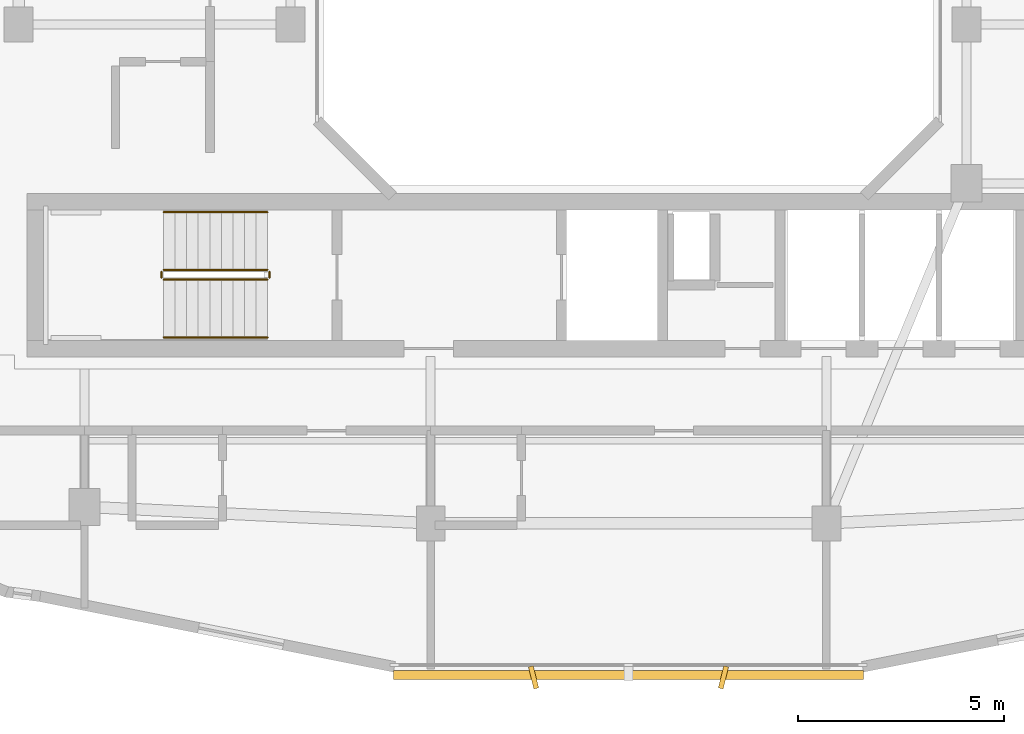
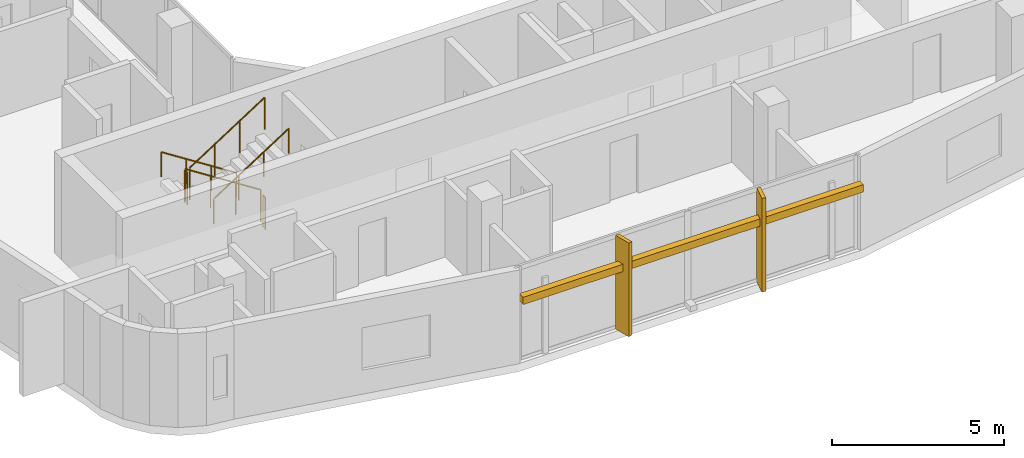
# One storey, part 11 of 14: 6 railings, 3 shading devices.
"""IFC4 building model written with IfcOpenShell, lengths in metres."""

from ifc_helpers import new_model, si_unit, derived_unit, direction, frame, origin, origin_2d, place, context, subcontext, project, spatial, rectangle, circle, extrude, material, type_object, element, save


model = new_model("IFC4")

# Units and contexts
model_context = context("Model", 3, precision=1e-05, world=origin(), true_north=direction((0.0, 1.0)))
body_context = subcontext(model_context, "Body", "Model", "MODEL_VIEW")
ifc_project = project(units=[si_unit("LENGTHUNIT", "METRE"), si_unit("AREAUNIT", "SQUARE_METRE"), si_unit("VOLUMEUNIT", "CUBIC_METRE"), si_unit("PLANEANGLEUNIT", "RADIAN"), si_unit("MASSUNIT", "GRAM", prefix="KILO"), derived_unit("THERMALTRANSMITTANCEUNIT", [(si_unit("POWERUNIT", "WATT"), 1), (si_unit("LENGTHUNIT", "METRE"), -2), (si_unit("THERMODYNAMICTEMPERATUREUNIT", "KELVIN"), -1)])], contexts=[model_context])

# Site, building, storey
site_placement = place(None, origin())
site = spatial("IfcSite", under=ifc_project, at=site_placement, CompositionType="ELEMENT")
building_placement = place(site_placement, origin())
building = spatial("IfcBuilding", under=site, at=building_placement, Name="Kivonza Crest Hotel", CompositionType="ELEMENT")
storey_placement = place(building_placement, frame((0.0, 0.0, 217.10009765625)))
storey = spatial("IfcBuildingStorey", under=building, at=storey_placement, Name="L59", CompositionType="ELEMENT", Elevation=217.10009765625)

# Railings
ifc_material_1 = material(Name="Brushed stainless steel handrail", Category="steel")
railing_type_1 = type_object("IfcRailingType", Name="RL-HAND-900", PredefinedType="HANDRAIL", material=ifc_material_1)
railing_1_placement = place(storey_placement, frame((12.239990234375, 16.949951171875, 0.179931640625)))
element("IfcRailing", 1, at=railing_1_placement, inside=storey, type_object=railing_type_1, Name="L59 ST-T1-S stair handrail 1", PredefinedType="HANDRAIL", context=body_context, shape_type="SweptSolid", body=[
    extrude(circle(Radius=0.02392578125, at=origin_2d()), frame((0.0, 0.0, 0.8759765625), z_axis=(-0.841199657755, 0.0, 0.540724639528), x_axis=(0.0, -1.0, 0.0)), (0.0, 0.0, 1.0), 2.995849609375),
    extrude(circle(Radius=0.02099609375, at=origin_2d()), origin(), (0.0, 0.0, 1.0), 0.851806640625),
    extrude(circle(Radius=0.02099609375, at=origin_2d()), frame((-0.840087890625, 0.0, 0.5400390625)), (0.0, 0.0, 1.0), 0.851806640625),
    extrude(circle(Radius=0.02099609375, at=origin_2d()), frame((-1.679931640625, 0.0, 1.079833984375)), (0.0, 0.0, 1.0), 0.851806640625),
    extrude(circle(Radius=0.02099609375, at=origin_2d()), frame((-2.52001953125, 0.0, 1.619873046875)), (0.0, 0.0, 1.0), 0.851806640625),
])
railing_2_placement = place(storey_placement, frame((9.719970703125, 13.909912109375, 1.97998046875)))
element("IfcRailing", 2, at=railing_2_placement, inside=storey, type_object=railing_type_1, Name="L59 ST-T1-S stair handrail 2", PredefinedType="HANDRAIL", context=body_context, shape_type="SweptSolid", body=[
    extrude(circle(Radius=0.02392578125, at=origin_2d()), frame((0.0, 0.0, 0.8759765625), z_axis=(0.841199657755, 0.0, 0.540724639528), x_axis=(0.0, 1.0, 0.0)), (0.0, 0.0, 1.0), 2.995849609375),
    extrude(circle(Radius=0.02099609375, at=origin_2d()), origin(), (0.0, 0.0, 1.0), 0.851806640625),
    extrude(circle(Radius=0.02099609375, at=origin_2d()), frame((0.840087890625, 0.0, 0.5400390625)), (0.0, 0.0, 1.0), 0.851806640625),
    extrude(circle(Radius=0.02099609375, at=origin_2d()), frame((1.679931640625, 0.0, 1.079833984375)), (0.0, 0.0, 1.0), 0.851806640625),
    extrude(circle(Radius=0.02099609375, at=origin_2d()), frame((2.52001953125, 0.0, 1.619873046875)), (0.0, 0.0, 1.0), 0.851806640625),
])
ifc_material_2 = material(Name="Painted steel balustrade", Category="steel")
railing_type_2 = type_object("IfcRailingType", Name="RL-STAIR-1150", PredefinedType="BALUSTRADE", material=ifc_material_2)
railing_3_placement = place(storey_placement, frame((12.239990234375, 15.550048828125, 0.179931640625)))
element("IfcRailing", 3, at=railing_3_placement, inside=storey, type_object=railing_type_2, Name="L59 ST-T1-S stair guard 1", PredefinedType="BALUSTRADE", context=body_context, shape_type="SweptSolid", body=[
    extrude(circle(Radius=0.02392578125, at=origin_2d()), frame((0.0, 0.0, 1.1259765625), z_axis=(-0.841199657755, 0.0, 0.540724639528), x_axis=(0.0, -1.0, 0.0)), (0.0, 0.0, 1.0), 2.995849609375),
    extrude(circle(Radius=0.02099609375, at=origin_2d()), origin(), (0.0, 0.0, 1.0), 1.101806640625),
    extrude(circle(Radius=0.02099609375, at=origin_2d()), frame((-0.840087890625, 0.0, 0.5400390625)), (0.0, 0.0, 1.0), 1.101806640625),
    extrude(circle(Radius=0.02099609375, at=origin_2d()), frame((-1.679931640625, 0.0, 1.079833984375)), (0.0, 0.0, 1.0), 1.101806640625),
    extrude(circle(Radius=0.02099609375, at=origin_2d()), frame((-2.52001953125, 0.0, 1.619873046875)), (0.0, 0.0, 1.0), 1.101806640625),
])
railing_4_placement = place(storey_placement, frame((9.669921875, 15.5, 1.7998046875)))
element("IfcRailing", 4, at=railing_4_placement, inside=storey, type_object=railing_type_2, Name="L59 ST-T1-S stair guard 2", PredefinedType="BALUSTRADE", context=body_context, shape_type="SweptSolid", body=[
    extrude(circle(Radius=0.02392578125, at=origin_2d()), frame((0.0, 0.0, 1.1259765625), z_axis=(0.0, -1.0, 0.0), x_axis=(1.0, 0.0, 0.0)), (0.0, 0.0, 1.0), 0.139892578125),
    extrude(circle(Radius=0.02099609375, at=origin_2d()), origin(), (0.0, 0.0, 1.0), 1.101806640625),
    extrude(circle(Radius=0.02099609375, at=origin_2d()), frame((0.0, -0.139892578125, 0.0)), (0.0, 0.0, 1.0), 1.101806640625),
])
railing_5_placement = place(storey_placement, frame((9.719970703125, 15.31005859375, 1.97998046875)))
element("IfcRailing", 5, at=railing_5_placement, inside=storey, type_object=railing_type_2, Name="L59 ST-T1-S stair guard 3", PredefinedType="BALUSTRADE", context=body_context, shape_type="SweptSolid", body=[
    extrude(circle(Radius=0.02392578125, at=origin_2d()), frame((0.0, 0.0, 1.1259765625), z_axis=(0.841199657755, 0.0, 0.540724639528), x_axis=(0.0, 1.0, 0.0)), (0.0, 0.0, 1.0), 2.995849609375),
    extrude(circle(Radius=0.02099609375, at=origin_2d()), origin(), (0.0, 0.0, 1.0), 1.101806640625),
    extrude(circle(Radius=0.02099609375, at=origin_2d()), frame((0.840087890625, 0.0, 0.5400390625)), (0.0, 0.0, 1.0), 1.101806640625),
    extrude(circle(Radius=0.02099609375, at=origin_2d()), frame((1.679931640625, 0.0, 1.079833984375)), (0.0, 0.0, 1.0), 1.101806640625),
    extrude(circle(Radius=0.02099609375, at=origin_2d()), frame((2.52001953125, 0.0, 1.619873046875)), (0.0, 0.0, 1.0), 1.101806640625),
])
railing_6_placement = place(storey_placement, frame((12.2900390625, 15.5, 0.0)))
element("IfcRailing", 6, at=railing_6_placement, inside=storey, type_object=railing_type_2, Name="L59 ST-T1-S stair guard 4", PredefinedType="BALUSTRADE", context=body_context, shape_type="SweptSolid", body=[
    extrude(circle(Radius=0.02392578125, at=origin_2d()), frame((0.0, 0.0, 1.1259765625), z_axis=(0.0, -1.0, 0.0), x_axis=(1.0, 0.0, 0.0)), (0.0, 0.0, 1.0), 0.139892578125),
    extrude(circle(Radius=0.02099609375, at=origin_2d()), origin(), (0.0, 0.0, 1.0), 1.101806640625),
    extrude(circle(Radius=0.02099609375, at=origin_2d()), frame((0.0, -0.139892578125, 0.0)), (0.0, 0.0, 1.0), 1.101806640625),
])

# Shading devices
ifc_material_3 = material(Name="Kiln-fired Nairobi red-ochre terracotta", Category="masonry")
shading_device_type_1 = type_object("IfcShadingDeviceType", Name="SH-BAGUETTE-300", PredefinedType="USERDEFINED", material=ifc_material_3)
shading_device_placement = place(storey_placement, frame((21.0, 5.719970703125, 2.19384765625), z_axis=(0.0, 0.0, 1.0), x_axis=(1.0, 0.0, 0.0)))
element("IfcShadingDevice", 7, at=shading_device_placement, inside=storey, type_object=shading_device_type_1, Name="L59 terracotta baguette screen CW-T1-L59-08", ObjectType="BAGUETTE", PredefinedType="USERDEFINED", context=body_context, shape_type="SweptSolid", body=[
    extrude(rectangle(XDim=11.39990234375, YDim=0.219970703125, at=origin_2d()), origin(), (0.0, 0.0, 1.0), 0.260009765625),
])
ifc_material_4 = material(Name="Kiln-fired terracotta over extruded aluminium spine", Category="masonry")
shading_device_type_2 = type_object("IfcShadingDeviceType", Name="SH-FIN-550", PredefinedType="USERDEFINED", material=ifc_material_4)
for number, where, z_axis, x_axis, name in (
    (8, (18.696044921875, 5.659912109375, 0.0), (0.0, 0.0, 1.0), (0.970295726276, 0.2419218956, 0.0), "L59 vertical solar shading fin CW-T1-L59-08-1"),
    (9, (23.303955078125, 5.659912109375, 0.0), (0.0, 0.0, 1.0), (0.970295726276, -0.2419218956, 0.0), "L59 vertical solar shading fin CW-T1-L59-08-2"),
):
    element("IfcShadingDevice", number, at=place(storey_placement, frame(where, z_axis=z_axis, x_axis=x_axis)), inside=storey, type_object=shading_device_type_2, Name=name, ObjectType="FIN", PredefinedType="USERDEFINED", context=body_context, shape_type="SweptSolid", body=[
        extrude(rectangle(XDim=0.1201171875, YDim=0.550048828125, at=origin_2d()), origin(), (0.0, 0.0, 1.0), 3.320068359375),
    ])

save(model, "model.ifc")
